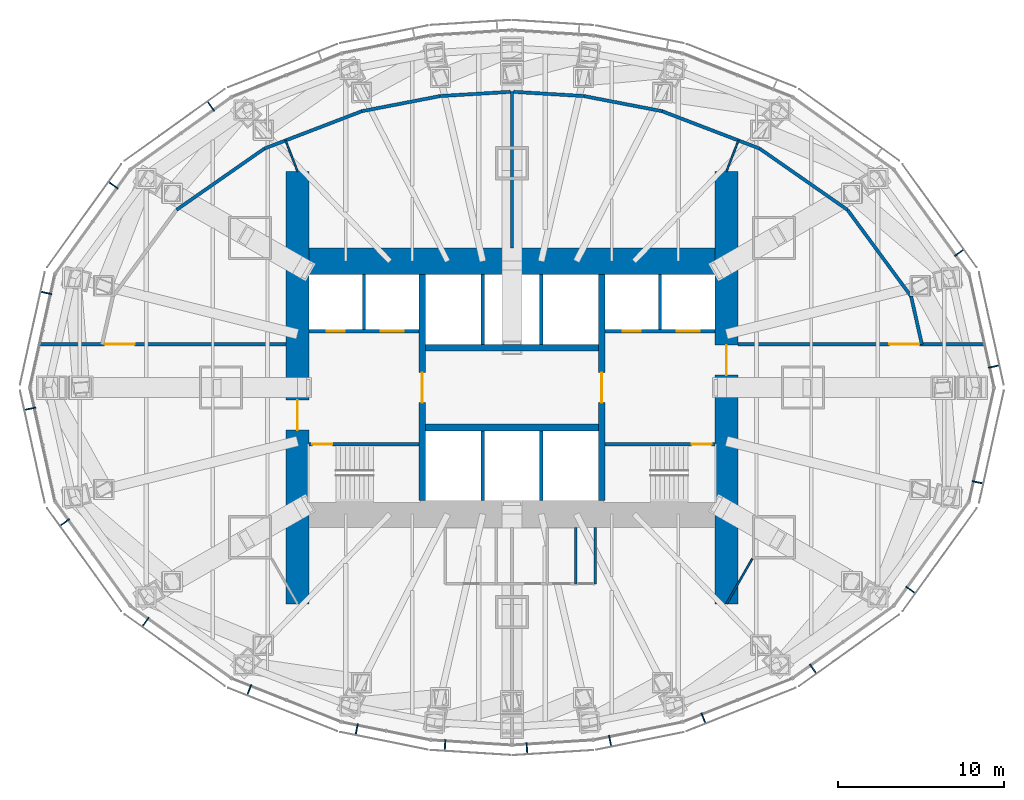
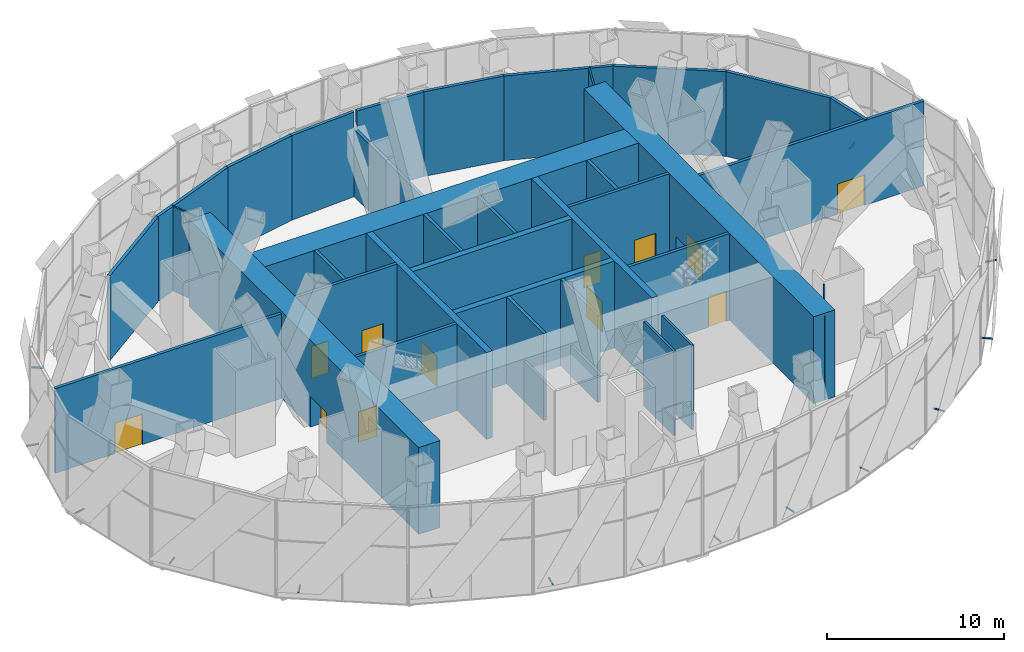
# One storey, part 14 of 19: 35 walls, 17 discrete accessories, 12 doors, 12 openings.
"""IFC4 building model written with IfcOpenShell, lengths in metres."""

from ifc_helpers import new_model, si_unit, direction, frame, frame_2d, origin, origin_2d, place, context, subcontext, project, spatial, rectangle, extrude, material, layer, layer_set, type_object, element, fill, save


model = new_model("IFC4")

# Units and contexts
model_context = context("Model", 3, precision=1e-05, world=origin(), true_north=direction((0.0, 1.0)))
body_context = subcontext(model_context, "Body", "Model", "MODEL_VIEW")
ifc_project = project(units=[si_unit("LENGTHUNIT", "METRE"), si_unit("AREAUNIT", "SQUARE_METRE"), si_unit("VOLUMEUNIT", "CUBIC_METRE"), si_unit("PLANEANGLEUNIT", "RADIAN"), si_unit("MASSUNIT", "GRAM", prefix="KILO")], contexts=[model_context])

# Site, building, storey
site_placement = place(None, origin())
site = spatial("IfcSite", under=ifc_project, at=site_placement, CompositionType="ELEMENT")
building_placement = place(site_placement, origin())
building = spatial("IfcBuilding", under=site, at=building_placement, Name="Lantaw Convention Tower", CompositionType="ELEMENT")
storey_placement = place(building_placement, frame((0.0, 0.0, 193.0)))
storey = spatial("IfcBuildingStorey", under=building, at=storey_placement, Name="L45", CompositionType="ELEMENT", Elevation=193.0)

# Wall, opening, door
ifc_material_1 = material(Name="Concrete C60/75", Category="concrete")
ifc_layer_1 = layer(ifc_material_1, 1.39990234375)
ifc_layer_set_1 = layer_set([ifc_layer_1], Name="Core wall 1400")
wall_type_1 = type_object("IfcWallType", Name="Core wall 1400", PredefinedType="SHEAR", material=ifc_layer_set_1)
wall_1_placement = place(storey_placement, frame((12.89990234375, -13.0, 0.0), z_axis=(0.0, 0.0, 1.0), x_axis=(0.0, 1.0, 0.0)))
wall_1 = element("IfcWall", 1, at=wall_1_placement, inside=storey, type_object=wall_type_1, Name="Core wall E", PredefinedType="SHEAR", context=body_context, shape_type="SweptSolid", body=[
    extrude(rectangle(XDim=26.0, YDim=1.39990234375, at=frame_2d((13.0, 0.0))), origin(), (0.0, 0.0, 1.0), 6.0),
])
opening_1_placement = place(wall_1_placement, frame((13.75, 0.0, 0.0)))
opening_1 = element("IfcOpeningElement", 2, at=opening_1_placement, cuts=wall_1, Name="Opening L45.05", PredefinedType="OPENING", context=body_context, shape_type="SweptSolid", body=[
    extrude(rectangle(XDim=1.800048828125, YDim=2.10009765625, at=frame_2d((0.89990234375, 1.050048828125))), frame((0.0, 0.7099609375, 0.0), z_axis=(0.0, -1.0, 0.0), x_axis=(1.0, 0.0, 0.0)), (0.0, 0.0, 1.0), 1.419921875),
])
ifc_material_2 = material(Name="Steel, fire rated", Category="steel")
door_type_1 = type_object("IfcDoorType", Name="Lobby double door FD90", OperationType="DOUBLE_DOOR_DOUBLE_SWING", PredefinedType="DOOR", material=ifc_material_2)
door_1_placement = place(opening_1_placement, origin())
door_1 = element("IfcDoor", 3, at=door_1_placement, inside=storey, type_object=door_type_1, Name="Firefighting lobby door", OperationType="DOUBLE_DOOR_DOUBLE_SWING", OverallHeight=2.10009765625, OverallWidth=1.800048828125, PredefinedType="DOOR", context=body_context, shape_type="SweptSolid", body=[
    extrude(rectangle(XDim=1.800048828125, YDim=2.10009765625, at=frame_2d((0.89990234375, 1.050048828125))), frame((0.0, 0.02490234375, 0.0), z_axis=(0.0, -1.0, 0.0), x_axis=(1.0, 0.0, 0.0)), (0.0, 0.0, 1.0), 0.050048828125),
])
fill(opening_1, door_1)

wall_2_placement = place(storey_placement, frame((-12.89990234375, 13.0, 0.0), z_axis=(0.0, 0.0, 1.0), x_axis=(0.0, -1.0, 0.0)))
wall_2 = element("IfcWall", 4, at=wall_2_placement, inside=storey, type_object=wall_type_1, Name="Core wall W", PredefinedType="SHEAR", context=body_context, shape_type="SweptSolid", body=[
    extrude(rectangle(XDim=26.0, YDim=1.39990234375, at=frame_2d((13.0, 0.0))), origin(), (0.0, 0.0, 1.0), 6.0),
])
opening_2_placement = place(wall_2_placement, frame((13.75, 0.0, 0.0)))
opening_2 = element("IfcOpeningElement", 5, at=opening_2_placement, cuts=wall_2, Name="Opening L45.06", PredefinedType="OPENING", context=body_context, shape_type="SweptSolid", body=[
    extrude(rectangle(XDim=1.800048828125, YDim=2.10009765625, at=frame_2d((0.89990234375, 1.050048828125))), frame((0.0, 0.7099609375, 0.0), z_axis=(0.0, -1.0, 0.0), x_axis=(1.0, 0.0, 0.0)), (0.0, 0.0, 1.0), 1.419921875),
])
door_2_placement = place(opening_2_placement, origin())
door_2 = element("IfcDoor", 6, at=door_2_placement, inside=storey, type_object=door_type_1, Name="Firefighting lobby door", OperationType="DOUBLE_DOOR_DOUBLE_SWING", OverallHeight=2.10009765625, OverallWidth=1.800048828125, PredefinedType="DOOR", context=body_context, shape_type="SweptSolid", body=[
    extrude(rectangle(XDim=1.800048828125, YDim=2.10009765625, at=frame_2d((0.89990234375, 1.050048828125))), frame((0.0, 0.02490234375, 0.0), z_axis=(0.0, -1.0, 0.0), x_axis=(1.0, 0.0, 0.0)), (0.0, 0.0, 1.0), 0.050048828125),
])
fill(opening_2, door_2)

# Wall
ifc_layer_2 = layer(ifc_material_1, 1.60009765625)
ifc_layer_set_2 = layer_set([ifc_layer_2], Name="Core wall 1600")
wall_type_2 = type_object("IfcWallType", Name="Core wall 1600", PredefinedType="SHEAR", material=ifc_layer_set_2)
wall_3_placement = place(storey_placement, frame((12.199951171875, 7.60009765625, 0.0), z_axis=(0.0, 0.0, 1.0), x_axis=(-1.0, 0.0, 0.0)))
element("IfcWall", 7, at=wall_3_placement, inside=storey, type_object=wall_type_2, Name="Core wall N", PredefinedType="SHEAR", context=body_context, shape_type="SweptSolid", body=[
    extrude(rectangle(XDim=24.39990234375, YDim=1.60009765625, at=frame_2d((12.199951171875, 0.0))), origin(), (0.0, 0.0, 1.0), 6.0),
])

# Wall, opening, door
ifc_layer_3 = layer(ifc_material_1, 0.199951171875)
ifc_layer_set_3 = layer_set([ifc_layer_3], Name="Core wall 200")
wall_type_3 = type_object("IfcWallType", Name="Core wall 200", PredefinedType="SHEAR", material=ifc_layer_set_3)
wall_4_placement = place(storey_placement, frame((5.60009765625, -3.39990234375, 0.0), z_axis=(0.0, 0.0, 1.0), x_axis=(1.0, 0.0, 0.0)))
wall_4 = element("IfcWall", 8, at=wall_4_placement, inside=storey, type_object=wall_type_3, Name="Core wall ES", PredefinedType="SHEAR", context=body_context, shape_type="SweptSolid", body=[
    extrude(rectangle(XDim=6.599853515625, YDim=0.199951171875, at=frame_2d((3.2998046875, 0.0))), origin(), (0.0, 0.0, 1.0), 6.0),
])
opening_3_placement = place(wall_4_placement, frame((5.199951171875, 0.0, 0.0)))
opening_3 = element("IfcOpeningElement", 9, at=opening_3_placement, cuts=wall_4, Name="Opening L45.03", PredefinedType="OPENING", context=body_context, shape_type="SweptSolid", body=[
    extrude(rectangle(XDim=1.199951171875, YDim=2.10009765625, at=frame_2d((0.60009765625, 1.050048828125))), frame((0.0, 0.10986328125, 0.0), z_axis=(0.0, -1.0, 0.0), x_axis=(1.0, 0.0, 0.0)), (0.0, 0.0, 1.0), 0.219970703125),
])
door_type_2 = type_object("IfcDoorType", Name="Stair door FD90", OperationType="SINGLE_SWING_RIGHT", PredefinedType="DOOR", material=ifc_material_2)
door_3_placement = place(opening_3_placement, origin())
door_3 = element("IfcDoor", 10, at=door_3_placement, inside=storey, type_object=door_type_2, Name="Exit stair door", OperationType="SINGLE_SWING_RIGHT", OverallHeight=2.10009765625, OverallWidth=1.199951171875, PredefinedType="DOOR", context=body_context, shape_type="SweptSolid", body=[
    extrude(rectangle(XDim=1.199951171875, YDim=2.10009765625, at=frame_2d((0.60009765625, 1.050048828125))), frame((0.0, 0.02490234375, 0.0), z_axis=(0.0, -1.0, 0.0), x_axis=(1.0, 0.0, 0.0)), (0.0, 0.0, 1.0), 0.050048828125),
])
fill(opening_3, door_3)

wall_5_placement = place(storey_placement, frame((-5.60009765625, -3.39990234375, 0.0), z_axis=(0.0, 0.0, 1.0), x_axis=(-1.0, 0.0, 0.0)))
wall_5 = element("IfcWall", 11, at=wall_5_placement, inside=storey, type_object=wall_type_3, Name="Core wall WS", PredefinedType="SHEAR", context=body_context, shape_type="SweptSolid", body=[
    extrude(rectangle(XDim=6.599853515625, YDim=0.199951171875, at=frame_2d((3.2998046875, 0.0))), origin(), (0.0, 0.0, 1.0), 6.0),
])
opening_4_placement = place(wall_5_placement, frame((5.199951171875, 0.0, 0.0)))
opening_4 = element("IfcOpeningElement", 12, at=opening_4_placement, cuts=wall_5, Name="Opening L45.04", PredefinedType="OPENING", context=body_context, shape_type="SweptSolid", body=[
    extrude(rectangle(XDim=1.199951171875, YDim=2.10009765625, at=frame_2d((0.60009765625, 1.050048828125))), frame((0.0, 0.10986328125, 0.0), z_axis=(0.0, -1.0, 0.0), x_axis=(1.0, 0.0, 0.0)), (0.0, 0.0, 1.0), 0.219970703125),
])
door_4_placement = place(opening_4_placement, origin())
door_4 = element("IfcDoor", 13, at=door_4_placement, inside=storey, type_object=door_type_2, Name="Exit stair door", OperationType="SINGLE_SWING_RIGHT", OverallHeight=2.10009765625, OverallWidth=1.199951171875, PredefinedType="DOOR", context=body_context, shape_type="SweptSolid", body=[
    extrude(rectangle(XDim=1.199951171875, YDim=2.10009765625, at=frame_2d((0.60009765625, 1.050048828125))), frame((0.0, 0.02490234375, 0.0), z_axis=(0.0, -1.0, 0.0), x_axis=(1.0, 0.0, 0.0)), (0.0, 0.0, 1.0), 0.050048828125),
])
fill(opening_4, door_4)

ifc_layer_4 = layer(ifc_material_1, 0.39990234375)
ifc_layer_set_4 = layer_set([ifc_layer_4], Name="Core wall 400")
wall_type_4 = type_object("IfcWallType", Name="Core wall 400", PredefinedType="SHEAR", material=ifc_layer_set_4)
wall_6_placement = place(storey_placement, frame((5.39990234375, -6.800048828125, 0.0), z_axis=(0.0, 0.0, 1.0), x_axis=(0.0, 1.0, 0.0)))
wall_6 = element("IfcWall", 14, at=wall_6_placement, inside=storey, type_object=wall_type_4, Name="Core wall XE", PredefinedType="SHEAR", context=body_context, shape_type="SweptSolid", body=[
    extrude(rectangle(XDim=13.60009765625, YDim=0.39990234375, at=frame_2d((6.800048828125, 0.0))), origin(), (0.0, 0.0, 1.0), 6.0),
])
opening_5_placement = place(wall_6_placement, frame((5.89990234375, 0.0, 0.0)))
opening_5 = element("IfcOpeningElement", 15, at=opening_5_placement, cuts=wall_6, Name="Opening L45.01", PredefinedType="OPENING", context=body_context, shape_type="SweptSolid", body=[
    extrude(rectangle(XDim=1.800048828125, YDim=2.10009765625, at=frame_2d((0.89990234375, 1.050048828125))), frame((0.0, 0.2099609375, 0.0), z_axis=(0.0, -1.0, 0.0), x_axis=(1.0, 0.0, 0.0)), (0.0, 0.0, 1.0), 0.419921875),
])
door_5_placement = place(opening_5_placement, origin())
door_5 = element("IfcDoor", 16, at=door_5_placement, inside=storey, type_object=door_type_1, Name="Lift lobby door", OperationType="DOUBLE_DOOR_DOUBLE_SWING", OverallHeight=2.10009765625, OverallWidth=1.800048828125, PredefinedType="DOOR", context=body_context, shape_type="SweptSolid", body=[
    extrude(rectangle(XDim=1.800048828125, YDim=2.10009765625, at=frame_2d((0.89990234375, 1.050048828125))), frame((0.0, 0.02490234375, 0.0), z_axis=(0.0, -1.0, 0.0), x_axis=(1.0, 0.0, 0.0)), (0.0, 0.0, 1.0), 0.050048828125),
])
fill(opening_5, door_5)

wall_7_placement = place(storey_placement, frame((-5.39990234375, 6.800048828125, 0.0), z_axis=(0.0, 0.0, 1.0), x_axis=(0.0, -1.0, 0.0)))
wall_7 = element("IfcWall", 17, at=wall_7_placement, inside=storey, type_object=wall_type_4, Name="Core wall XW", PredefinedType="SHEAR", context=body_context, shape_type="SweptSolid", body=[
    extrude(rectangle(XDim=13.60009765625, YDim=0.39990234375, at=frame_2d((6.800048828125, 0.0))), origin(), (0.0, 0.0, 1.0), 6.0),
])
opening_6_placement = place(wall_7_placement, frame((5.89990234375, 0.0, 0.0)))
opening_6 = element("IfcOpeningElement", 18, at=opening_6_placement, cuts=wall_7, Name="Opening L45.02", PredefinedType="OPENING", context=body_context, shape_type="SweptSolid", body=[
    extrude(rectangle(XDim=1.800048828125, YDim=2.10009765625, at=frame_2d((0.89990234375, 1.050048828125))), frame((0.0, 0.2099609375, 0.0), z_axis=(0.0, -1.0, 0.0), x_axis=(1.0, 0.0, 0.0)), (0.0, 0.0, 1.0), 0.419921875),
])
door_6_placement = place(opening_6_placement, origin())
door_6 = element("IfcDoor", 19, at=door_6_placement, inside=storey, type_object=door_type_1, Name="Lift lobby door", OperationType="DOUBLE_DOOR_DOUBLE_SWING", OverallHeight=2.10009765625, OverallWidth=1.800048828125, PredefinedType="DOOR", context=body_context, shape_type="SweptSolid", body=[
    extrude(rectangle(XDim=1.800048828125, YDim=2.10009765625, at=frame_2d((0.89990234375, 1.050048828125))), frame((0.0, 0.02490234375, 0.0), z_axis=(0.0, -1.0, 0.0), x_axis=(1.0, 0.0, 0.0)), (0.0, 0.0, 1.0), 0.050048828125),
])
fill(opening_6, door_6)

# Walls
for number, where, z_axis, x_axis, name in (
    (20, (-5.199951171875, -2.39990234375, 0.0), (0.0, 0.0, 1.0), (1.0, 0.0, 0.0), "Core wall BS"),
    (21, (5.199951171875, 2.39990234375, 0.0), (0.0, 0.0, 1.0), (-1.0, 0.0, 0.0), "Core wall BN"),
):
    element("IfcWall", number, at=place(storey_placement, frame(where, z_axis=z_axis, x_axis=x_axis)), inside=storey, type_object=wall_type_4, Name=name, PredefinedType="SHEAR", context=body_context, shape_type="SweptSolid", body=[
        extrude(rectangle(XDim=10.39990234375, YDim=0.39990234375, at=frame_2d((5.199951171875, 0.0))), origin(), (0.0, 0.0, 1.0), 6.0),
    ])

# Wall, opening, door
ifc_material_3 = material(Name="Concrete blockwork, fire rated", Category="masonry")
ifc_layer_5 = layer(ifc_material_3, 0.199951171875)
ifc_layer_set_5 = layer_set([ifc_layer_5], Name="Fire wall 200 EI 120")
wall_type_5 = type_object("IfcWallType", Name="Fire wall 200 EI 120", PredefinedType="SOLIDWALL", material=ifc_layer_set_5)
wall_8_placement = place(storey_placement, frame((-13.60009765625, 2.60009765625, 0.0), z_axis=(0.0, 0.0, 1.0), x_axis=(-1.0, 0.0, 0.0)))
wall_8 = element("IfcWall", 22, at=wall_8_placement, inside=storey, type_object=wall_type_5, Name="Fire wall 200", PredefinedType="SOLIDWALL", context=body_context, shape_type="SweptSolid", body=[
    extrude(rectangle(XDim=14.770263671875, YDim=0.199951171875, at=frame_2d((7.38525390625, 0.0))), origin(), (0.0, 0.0, 1.0), 5.85009765625),
])
opening_7_placement = place(wall_8_placement, frame((9.0947265625, 0.0, 0.0)))
opening_7 = element("IfcOpeningElement", 23, at=opening_7_placement, cuts=wall_8, Name="Opening L45.15", PredefinedType="OPENING", context=body_context, shape_type="SweptSolid", body=[
    extrude(rectangle(XDim=1.800048828125, YDim=2.10009765625, at=frame_2d((0.89990234375, 1.050048828125))), frame((0.0, 0.10986328125, 0.0), z_axis=(0.0, -1.0, 0.0), x_axis=(1.0, 0.0, 0.0)), (0.0, 0.0, 1.0), 0.219970703125),
])
door_type_3 = type_object("IfcDoorType", Name="Plant room double door FD90", OperationType="DOUBLE_DOOR_DOUBLE_SWING", PredefinedType="DOOR", material=ifc_material_2)
door_7_placement = place(opening_7_placement, origin())
door_7 = element("IfcDoor", 24, at=door_7_placement, inside=storey, type_object=door_type_3, Name="Refuge area door", OperationType="DOUBLE_DOOR_DOUBLE_SWING", OverallHeight=2.10009765625, OverallWidth=1.800048828125, PredefinedType="DOOR", context=body_context, shape_type="SweptSolid", body=[
    extrude(rectangle(XDim=1.800048828125, YDim=2.10009765625, at=frame_2d((0.89990234375, 1.050048828125))), frame((0.0, 0.02490234375, 0.0), z_axis=(0.0, -1.0, 0.0), x_axis=(1.0, 0.0, 0.0)), (0.0, 0.0, 1.0), 0.050048828125),
])
fill(opening_7, door_7)

wall_9_placement = place(storey_placement, frame((13.60009765625, 2.60009765625, 0.0), z_axis=(0.0, 0.0, 1.0), x_axis=(1.0, 0.0, 0.0)))
wall_9 = element("IfcWall", 25, at=wall_9_placement, inside=storey, type_object=wall_type_5, Name="Fire wall 200", PredefinedType="SOLIDWALL", context=body_context, shape_type="SweptSolid", body=[
    extrude(rectangle(XDim=14.770263671875, YDim=0.199951171875, at=frame_2d((7.38525390625, 0.0))), origin(), (0.0, 0.0, 1.0), 5.85009765625),
])
opening_8_placement = place(wall_9_placement, frame((9.0947265625, 0.0, 0.0)))
opening_8 = element("IfcOpeningElement", 26, at=opening_8_placement, cuts=wall_9, Name="Opening L45.16", PredefinedType="OPENING", context=body_context, shape_type="SweptSolid", body=[
    extrude(rectangle(XDim=1.800048828125, YDim=2.10009765625, at=frame_2d((0.89990234375, 1.050048828125))), frame((0.0, 0.10986328125, 0.0), z_axis=(0.0, -1.0, 0.0), x_axis=(1.0, 0.0, 0.0)), (0.0, 0.0, 1.0), 0.219970703125),
])
door_8_placement = place(opening_8_placement, origin())
door_8 = element("IfcDoor", 27, at=door_8_placement, inside=storey, type_object=door_type_3, Name="Refuge area door", OperationType="DOUBLE_DOOR_DOUBLE_SWING", OverallHeight=2.10009765625, OverallWidth=1.800048828125, PredefinedType="DOOR", context=body_context, shape_type="SweptSolid", body=[
    extrude(rectangle(XDim=1.800048828125, YDim=2.10009765625, at=frame_2d((0.89990234375, 1.050048828125))), frame((0.0, 0.02490234375, 0.0), z_axis=(0.0, -1.0, 0.0), x_axis=(1.0, 0.0, 0.0)), (0.0, 0.0, 1.0), 0.050048828125),
])
fill(opening_8, door_8)

# Walls
wall_10_placement = place(storey_placement, frame((0.0, 8.39990234375, 0.0), z_axis=(0.0, 0.0, 1.0), x_axis=(0.0, 1.0, 0.0)))
element("IfcWall", 28, at=wall_10_placement, inside=storey, type_object=wall_type_5, Name="Fire wall 200", PredefinedType="SOLIDWALL", context=body_context, shape_type="SweptSolid", body=[
    extrude(rectangle(XDim=9.39404296875, YDim=0.199951171875, at=frame_2d((4.697021484375, 0.0))), origin(), (0.0, 0.0, 1.0), 4.64990234375),
])
ifc_material_4 = material(Name="Gypsum board on steel studs, acoustic", Category="steel")
ifc_layer_6 = layer(ifc_material_4, 0.10009765625)
ifc_layer_set_6 = layer_set([ifc_layer_6], Name="Office partition 100")
wall_type_6 = type_object("IfcWallType", Name="Office partition 100", PredefinedType="PARTITIONING", material=ifc_layer_set_6)
wall_11_placement = place(storey_placement, frame((12.89990234375, -13.0, 0.0), z_axis=(0.0, 0.0, 1.0), x_axis=(0.497886086714, 0.867242437071, 0.0)))
element("IfcWall", 29, at=wall_11_placement, inside=storey, type_object=wall_type_6, Name="Office partition 100", PredefinedType="PARTITIONING", context=body_context, shape_type="SweptSolid", body=[
    extrude(rectangle(XDim=3.11328125, YDim=0.10009765625, at=frame_2d((1.556640625, 0.0))), origin(), (0.0, 0.0, 1.0), 5.85009765625),
])
for number, where, z_axis, x_axis, name in (
    (30, (12.89990234375, 13.0, 0.0), (0.0, 0.0, 1.0), (0.358175892566, 0.9336541276, 0.0), "Office partition 100"),
    (31, (-12.89990234375, 13.0, 0.0), (0.0, 0.0, 1.0), (-0.358175892566, 0.9336541276, 0.0), "Office partition 100"),
):
    element("IfcWall", number, at=place(storey_placement, frame(where, z_axis=z_axis, x_axis=x_axis)), inside=storey, type_object=wall_type_6, Name=name, PredefinedType="PARTITIONING", context=body_context, shape_type="SweptSolid", body=[
        extrude(rectangle(XDim=1.99658203125, YDim=0.10009765625, at=frame_2d((0.998291015625, 0.0))), origin(), (0.0, 0.0, 1.0), 5.85009765625),
    ])
ifc_layer_7 = layer(ifc_material_3, 0.199951171875)
ifc_layer_set_7 = layer_set([ifc_layer_7], Name="Plant room wall 200 EI 120")
wall_type_7 = type_object("IfcWallType", Name="Plant room wall 200 EI 120", PredefinedType="SOLIDWALL", material=ifc_layer_set_7)
wall_12_placement = place(storey_placement, frame((-20.173095703125, 10.691162109375, 0.0), z_axis=(0.0, 0.0, 1.0), x_axis=(0.820274205327, 0.571970478324, 0.0)))
element("IfcWall", 32, at=wall_12_placement, inside=storey, type_object=wall_type_7, Name="Plant room wall 200", PredefinedType="SOLIDWALL", context=body_context, shape_type="SweptSolid", body=[
    extrude(rectangle(XDim=6.440185546875, YDim=0.199951171875, at=frame_2d((3.22021484375, 0.0))), origin(), (0.0, 0.0, 1.0), 5.85009765625),
])
wall_13_placement = place(storey_placement, frame((-14.890380859375, 14.374755859375, 0.0), z_axis=(0.0, 0.0, 1.0), x_axis=(0.933673071728, 0.358126507159, 0.0)))
element("IfcWall", 33, at=wall_13_placement, inside=storey, type_object=wall_type_7, Name="Plant room wall 200", PredefinedType="SOLIDWALL", context=body_context, shape_type="SweptSolid", body=[
    extrude(rectangle(XDim=6.27587890625, YDim=0.199951171875, at=frame_2d((3.137939453125, 0.0))), origin(), (0.0, 0.0, 1.0), 5.85009765625),
])
wall_14_placement = place(storey_placement, frame((-9.03076171875, 16.622314453125, 0.0), z_axis=(0.0, 0.0, 1.0), x_axis=(0.981807084442, 0.189881144245, 0.0)))
element("IfcWall", 34, at=wall_14_placement, inside=storey, type_object=wall_type_7, Name="Plant room wall 200", PredefinedType="SOLIDWALL", context=body_context, shape_type="SweptSolid", body=[
    extrude(rectangle(XDim=4.7998046875, YDim=0.199951171875, at=frame_2d((2.39990234375, 0.0))), origin(), (0.0, 0.0, 1.0), 5.85009765625),
])
for number, where, z_axis, x_axis, name in (
    (35, (-4.318359375, 17.53369140625, 0.0), (0.0, 0.0, 1.0), (0.998189893623, 0.060140969977, 0.0), "Plant room wall 200"),
    (36, (0.10009765625, 17.787841796875, 0.0), (0.0, 0.0, 1.0), (0.998189893623, -0.060140969977, 0.0), "Plant room wall 200"),
):
    element("IfcWall", number, at=place(storey_placement, frame(where, z_axis=z_axis, x_axis=x_axis)), inside=storey, type_object=wall_type_7, Name=name, PredefinedType="SOLIDWALL", context=body_context, shape_type="SweptSolid", body=[
        extrude(rectangle(XDim=4.225830078125, YDim=0.199951171875, at=frame_2d((2.11279296875, 0.0))), origin(), (0.0, 0.0, 1.0), 5.85009765625),
    ])
wall_15_placement = place(storey_placement, frame((4.318359375, 17.53369140625, 0.0), z_axis=(0.0, 0.0, 1.0), x_axis=(0.981807084442, -0.189881144245, 0.0)))
element("IfcWall", 37, at=wall_15_placement, inside=storey, type_object=wall_type_7, Name="Plant room wall 200", PredefinedType="SOLIDWALL", context=body_context, shape_type="SweptSolid", body=[
    extrude(rectangle(XDim=4.7998046875, YDim=0.199951171875, at=frame_2d((2.39990234375, 0.0))), origin(), (0.0, 0.0, 1.0), 5.85009765625),
])
wall_16_placement = place(storey_placement, frame((9.03076171875, 16.622314453125, 0.0), z_axis=(0.0, 0.0, 1.0), x_axis=(0.933673071728, -0.358126507159, 0.0)))
element("IfcWall", 38, at=wall_16_placement, inside=storey, type_object=wall_type_7, Name="Plant room wall 200", PredefinedType="SOLIDWALL", context=body_context, shape_type="SweptSolid", body=[
    extrude(rectangle(XDim=6.27587890625, YDim=0.199951171875, at=frame_2d((3.137939453125, 0.0))), origin(), (0.0, 0.0, 1.0), 5.85009765625),
])
wall_17_placement = place(storey_placement, frame((14.890380859375, 14.374755859375, 0.0), z_axis=(0.0, 0.0, 1.0), x_axis=(0.820274205327, -0.571970478324, 0.0)))
element("IfcWall", 39, at=wall_17_placement, inside=storey, type_object=wall_type_7, Name="Plant room wall 200", PredefinedType="SOLIDWALL", context=body_context, shape_type="SweptSolid", body=[
    extrude(rectangle(XDim=6.440185546875, YDim=0.199951171875, at=frame_2d((3.22021484375, 0.0))), origin(), (0.0, 0.0, 1.0), 5.85009765625),
])
wall_18_placement = place(storey_placement, frame((20.173095703125, 10.691162109375, 0.0), z_axis=(0.0, 0.0, 1.0), x_axis=(0.592429396569, -0.805622374367, 0.0)))
element("IfcWall", 40, at=wall_18_placement, inside=storey, type_object=wall_type_7, Name="Plant room wall 200", PredefinedType="SOLIDWALL", context=body_context, shape_type="SweptSolid", body=[
    extrude(rectangle(XDim=6.462158203125, YDim=0.199951171875, at=frame_2d((3.23095703125, 0.0))), origin(), (0.0, 0.0, 1.0), 5.85009765625),
])
wall_19_placement = place(storey_placement, frame((24.00146484375, 5.485107421875, 0.0), z_axis=(0.0, 0.0, 1.0), x_axis=(0.219211589051, -0.975677343811, 0.0)))
element("IfcWall", 41, at=wall_19_placement, inside=storey, type_object=wall_type_7, Name="Plant room wall 200", PredefinedType="SOLIDWALL", context=body_context, shape_type="SweptSolid", body=[
    extrude(rectangle(XDim=2.95703125, YDim=0.199951171875, at=frame_2d((1.478515625, 0.0))), origin(), (0.0, 0.0, 1.0), 5.85009765625),
])
ifc_layer_8 = layer(ifc_material_3, 0.199951171875)
ifc_layer_set_8 = layer_set([ifc_layer_8], Name="Shaft wall 200")
wall_type_8 = type_object("IfcWallType", Name="Shaft wall 200", PredefinedType="SOLIDWALL", material=ifc_layer_set_8)
for number, where, z_axis, x_axis, name in (
    (42, (-1.7666015625, 2.60009765625, 0.0), (0.0, 0.0, 1.0), (0.0, 1.0, 0.0), "Shaft wall DN1"),
    (43, (1.7666015625, 2.60009765625, 0.0), (0.0, 0.0, 1.0), (0.0, 1.0, 0.0), "Shaft wall DN2"),
):
    element("IfcWall", number, at=place(storey_placement, frame(where, z_axis=z_axis, x_axis=x_axis)), inside=storey, type_object=wall_type_8, Name=name, PredefinedType="SOLIDWALL", context=body_context, shape_type="SweptSolid", body=[
        extrude(rectangle(XDim=4.199951171875, YDim=0.199951171875, at=frame_2d((2.10009765625, 0.0))), origin(), (0.0, 0.0, 1.0), 6.0),
    ])

# Wall, openings, doors
wall_20_placement = place(storey_placement, frame((12.199951171875, 3.39990234375, 0.0), z_axis=(0.0, 0.0, 1.0), x_axis=(-1.0, 0.0, 0.0)))
wall_20 = element("IfcWall", 44, at=wall_20_placement, inside=storey, type_object=wall_type_8, Name="Shaft wall EN", PredefinedType="SOLIDWALL", context=body_context, shape_type="SweptSolid", body=[
    extrude(rectangle(XDim=6.599853515625, YDim=0.199951171875, at=frame_2d((3.2998046875, 0.0))), origin(), (0.0, 0.0, 1.0), 6.0),
])
opening_9_placement = place(wall_20_placement, frame((4.449951171875, 0.0, 0.0)))
opening_9 = element("IfcOpeningElement", 45, at=opening_9_placement, cuts=wall_20, Name="Opening L45.09", PredefinedType="OPENING", context=body_context, shape_type="SweptSolid", body=[
    extrude(rectangle(XDim=1.10009765625, YDim=2.199951171875, at=frame_2d((0.550048828125, 1.10009765625))), frame((0.0, 0.10986328125, 0.0), z_axis=(0.0, -1.0, 0.0), x_axis=(1.0, 0.0, 0.0)), (0.0, 0.0, 1.0), 0.219970703125),
])
opening_10_placement = place(wall_20_placement, frame((0.89990234375, 0.0, 0.0)))
opening_10 = element("IfcOpeningElement", 46, at=opening_10_placement, cuts=wall_20, Name="Opening L45.10", PredefinedType="OPENING", context=body_context, shape_type="SweptSolid", body=[
    extrude(rectangle(XDim=1.39990234375, YDim=2.199951171875, at=frame_2d((0.699951171875, 1.10009765625))), frame((0.0, 0.10986328125, 0.0), z_axis=(0.0, -1.0, 0.0), x_axis=(1.0, 0.0, 0.0)), (0.0, 0.0, 1.0), 0.219970703125),
])
ifc_material_5 = material(Name="Stainless steel", Category="steel")
door_type_4 = type_object("IfcDoorType", Name="Lift landing door 1100", OperationType="DOUBLE_DOOR_SLIDING", PredefinedType="DOOR", material=ifc_material_5)
door_9_placement = place(opening_9_placement, origin())
door_9 = element("IfcDoor", 47, at=door_9_placement, inside=storey, type_object=door_type_4, Name="Lift landing door FF2", OperationType="DOUBLE_DOOR_SLIDING", OverallHeight=2.199951171875, OverallWidth=1.10009765625, PredefinedType="DOOR", context=body_context, shape_type="SweptSolid", body=[
    extrude(rectangle(XDim=1.10009765625, YDim=2.199951171875, at=frame_2d((0.550048828125, 1.10009765625))), frame((0.0, 0.02490234375, 0.0), z_axis=(0.0, -1.0, 0.0), x_axis=(1.0, 0.0, 0.0)), (0.0, 0.0, 1.0), 0.050048828125),
])
fill(opening_9, door_9)
door_type_5 = type_object("IfcDoorType", Name="Lift landing door 1400", OperationType="DOUBLE_DOOR_SLIDING", PredefinedType="DOOR", material=ifc_material_5)
door_10_placement = place(opening_10_placement, origin())
door_10 = element("IfcDoor", 48, at=door_10_placement, inside=storey, type_object=door_type_5, Name="Lift landing door SV2", OperationType="DOUBLE_DOOR_SLIDING", OverallHeight=2.199951171875, OverallWidth=1.39990234375, PredefinedType="DOOR", context=body_context, shape_type="SweptSolid", body=[
    extrude(rectangle(XDim=1.39990234375, YDim=2.199951171875, at=frame_2d((0.699951171875, 1.10009765625))), frame((0.0, 0.02490234375, 0.0), z_axis=(0.0, -1.0, 0.0), x_axis=(1.0, 0.0, 0.0)), (0.0, 0.0, 1.0), 0.050048828125),
])
fill(opening_10, door_10)

# Wall
wall_21_placement = place(storey_placement, frame((8.89990234375, 3.5, 0.0), z_axis=(0.0, 0.0, 1.0), x_axis=(0.0, 1.0, 0.0)))
element("IfcWall", 49, at=wall_21_placement, inside=storey, type_object=wall_type_8, Name="Shaft wall ED", PredefinedType="SOLIDWALL", context=body_context, shape_type="SweptSolid", body=[
    extrude(rectangle(XDim=3.300048828125, YDim=0.199951171875, at=frame_2d((1.64990234375, 0.0))), origin(), (0.0, 0.0, 1.0), 6.0),
])

# Wall, openings, doors
wall_22_placement = place(storey_placement, frame((-12.199951171875, 3.39990234375, 0.0), z_axis=(0.0, 0.0, 1.0), x_axis=(1.0, 0.0, 0.0)))
wall_22 = element("IfcWall", 50, at=wall_22_placement, inside=storey, type_object=wall_type_8, Name="Shaft wall WN", PredefinedType="SOLIDWALL", context=body_context, shape_type="SweptSolid", body=[
    extrude(rectangle(XDim=6.599853515625, YDim=0.199951171875, at=frame_2d((3.2998046875, 0.0))), origin(), (0.0, 0.0, 1.0), 6.0),
])
opening_11_placement = place(wall_22_placement, frame((1.050048828125, 0.0, 0.0)))
opening_11 = element("IfcOpeningElement", 51, at=opening_11_placement, cuts=wall_22, Name="Opening L45.07", PredefinedType="OPENING", context=body_context, shape_type="SweptSolid", body=[
    extrude(rectangle(XDim=1.10009765625, YDim=2.199951171875, at=frame_2d((0.550048828125, 1.10009765625))), frame((0.0, 0.10986328125, 0.0), z_axis=(0.0, -1.0, 0.0), x_axis=(1.0, 0.0, 0.0)), (0.0, 0.0, 1.0), 0.219970703125),
])
opening_12_placement = place(wall_22_placement, frame((4.300048828125, 0.0, 0.0)))
opening_12 = element("IfcOpeningElement", 52, at=opening_12_placement, cuts=wall_22, Name="Opening L45.08", PredefinedType="OPENING", context=body_context, shape_type="SweptSolid", body=[
    extrude(rectangle(XDim=1.39990234375, YDim=2.199951171875, at=frame_2d((0.699951171875, 1.10009765625))), frame((0.0, 0.10986328125, 0.0), z_axis=(0.0, -1.0, 0.0), x_axis=(1.0, 0.0, 0.0)), (0.0, 0.0, 1.0), 0.219970703125),
])
door_11_placement = place(opening_11_placement, origin())
door_11 = element("IfcDoor", 53, at=door_11_placement, inside=storey, type_object=door_type_4, Name="Lift landing door FF1", OperationType="DOUBLE_DOOR_SLIDING", OverallHeight=2.199951171875, OverallWidth=1.10009765625, PredefinedType="DOOR", context=body_context, shape_type="SweptSolid", body=[
    extrude(rectangle(XDim=1.10009765625, YDim=2.199951171875, at=frame_2d((0.550048828125, 1.10009765625))), frame((0.0, 0.02490234375, 0.0), z_axis=(0.0, -1.0, 0.0), x_axis=(1.0, 0.0, 0.0)), (0.0, 0.0, 1.0), 0.050048828125),
])
fill(opening_11, door_11)
door_12_placement = place(opening_12_placement, origin())
door_12 = element("IfcDoor", 54, at=door_12_placement, inside=storey, type_object=door_type_5, Name="Lift landing door SV1", OperationType="DOUBLE_DOOR_SLIDING", OverallHeight=2.199951171875, OverallWidth=1.39990234375, PredefinedType="DOOR", context=body_context, shape_type="SweptSolid", body=[
    extrude(rectangle(XDim=1.39990234375, YDim=2.199951171875, at=frame_2d((0.699951171875, 1.10009765625))), frame((0.0, 0.02490234375, 0.0), z_axis=(0.0, -1.0, 0.0), x_axis=(1.0, 0.0, 0.0)), (0.0, 0.0, 1.0), 0.050048828125),
])
fill(opening_12, door_12)

# Walls
wall_23_placement = place(storey_placement, frame((-8.89990234375, 3.5, 0.0), z_axis=(0.0, 0.0, 1.0), x_axis=(0.0, 1.0, 0.0)))
element("IfcWall", 55, at=wall_23_placement, inside=storey, type_object=wall_type_8, Name="Shaft wall WD", PredefinedType="SOLIDWALL", context=body_context, shape_type="SweptSolid", body=[
    extrude(rectangle(XDim=3.300048828125, YDim=0.199951171875, at=frame_2d((1.64990234375, 0.0))), origin(), (0.0, 0.0, 1.0), 6.0),
])
ifc_layer_9 = layer(ifc_material_3, 0.199951171875)
ifc_layer_set_9 = layer_set([ifc_layer_9], Name="Shaft wall 200 load-bearing")
wall_type_9 = type_object("IfcWallType", Name="Shaft wall 200 load-bearing", PredefinedType="SOLIDWALL", material=ifc_layer_set_9)
for number, where, z_axis, x_axis, name in (
    (56, (-1.7666015625, -2.60009765625, 0.0), (0.0, 0.0, 1.0), (0.0, -1.0, 0.0), "Shaft wall DS1"),
    (57, (1.7666015625, -2.60009765625, 0.0), (0.0, 0.0, 1.0), (0.0, -1.0, 0.0), "Shaft wall DS2"),
):
    element("IfcWall", number, at=place(storey_placement, frame(where, z_axis=z_axis, x_axis=x_axis)), inside=storey, type_object=wall_type_9, Name=name, PredefinedType="SOLIDWALL", context=body_context, shape_type="SweptSolid", body=[
        extrude(rectangle(XDim=4.199951171875, YDim=0.199951171875, at=frame_2d((2.10009765625, 0.0))), origin(), (0.0, 0.0, 1.0), 6.0),
    ])
ifc_material_6 = material(Name="Concrete blockwork", Category="masonry")
ifc_layer_10 = layer(ifc_material_6, 0.14990234375)
ifc_layer_set_10 = layer_set([ifc_layer_10], Name="WC wall 150")
wall_type_10 = type_object("IfcWallType", Name="WC wall 150", PredefinedType="SOLIDWALL", material=ifc_layer_set_10)
for number, where, z_axis, x_axis, name in (
    (58, (5.0, -8.39990234375, 0.0), (0.0, 0.0, 1.0), (0.0, -1.0, 0.0), "WC wall 150"),
    (59, (3.830078125, -8.39990234375, 0.0), (0.0, 0.0, 1.0), (0.0, -1.0, 0.0), "WC wall 150"),
):
    element("IfcWall", number, at=place(storey_placement, frame(where, z_axis=z_axis, x_axis=x_axis)), inside=storey, type_object=wall_type_10, Name=name, PredefinedType="SOLIDWALL", context=body_context, shape_type="SweptSolid", body=[
        extrude(rectangle(XDim=3.400146484375, YDim=0.14990234375, at=frame_2d((1.7001953125, 0.0))), origin(), (0.0, 0.0, 1.0), 5.85009765625),
    ])

# Discrete accessories
for number, where, z_axis, x_axis, name in (
    (60, (28.98486328125, 1.269775390625, -0.14013671875), (0.0, 0.0, 1.0), (-0.215546166174, 0.9764936509, 0.0), "Screen bracket"),
    (61, (26.900146484375, 8.111572265625, -0.14013671875), (0.0, 0.0, 1.0), (-0.584512597221, 0.811384633629, 0.0), "Screen bracket"),
    (62, (-18.10791015625, 16.922607421875, -0.14013671875), (0.0, 0.0, 1.0), (-0.813208325995, -0.581972695693, 0.0), "Screen bracket"),
    (63, (-23.9765625, 12.169677734375, -0.14013671875), (0.0, 0.0, 1.0), (-0.584512597221, -0.811384633629, 0.0), "Screen bracket"),
    (64, (-28.008056640625, 5.6953125, -0.14013671875), (0.0, 0.0, 1.0), (-0.215546166174, -0.9764936509, 0.0), "Screen bracket"),
    (65, (-28.98486328125, -1.269775390625, -0.14013671875), (0.0, 0.0, 1.0), (0.215546166174, -0.9764936509, 0.0), "Screen bracket"),
    (66, (-26.900146484375, -8.111572265625, -0.14013671875), (0.0, 0.0, 1.0), (0.584512597221, -0.811384633629, 0.0), "Screen bracket"),
    (67, (-22.044189453125, -14.10546875, -0.14013671875), (0.0, 0.0, 1.0), (0.813208325995, -0.581972695693, 0.0), "Screen bracket"),
    (68, (-15.802978515625, -18.18798828125, -0.14013671875), (0.0, 0.0, 1.0), (0.929547687544, -0.368701907483, 0.0), "Screen bracket"),
    (69, (-9.339599609375, -20.56005859375, -0.14013671875), (0.0, 0.0, 1.0), (0.980301514912, -0.197506809659, 0.0), "Screen bracket"),
    (70, (-4.027099609375, -21.505859375, -0.14013671875), (0.0, 0.0, 1.0), (0.998022035978, -0.062865059466, 0.0), "Screen bracket"),
    (71, (0.89794921875, -21.702880859375, -0.14013671875), (0.0, 0.0, 1.0), (0.998022035978, 0.062865059466, 0.0), "Screen bracket"),
    (72, (5.903076171875, -21.25244140625, -0.14013671875), (0.0, 0.0, 1.0), (0.980301514912, 0.197506809659, 0.0), "Screen bracket"),
    (73, (11.517822265625, -19.887939453125, -0.14013671875), (0.0, 0.0, 1.0), (0.929547687544, 0.368701907483, 0.0), "Screen bracket"),
    (74, (18.10791015625, -16.922607421875, -0.14013671875), (0.0, 0.0, 1.0), (0.813208325995, 0.581972695693, 0.0), "Screen bracket"),
    (75, (23.9765625, -12.169677734375, -0.14013671875), (0.0, 0.0, 1.0), (0.584512597221, 0.811384633629, 0.0), "Screen bracket"),
    (76, (28.008056640625, -5.6953125, -0.14013671875), (0.0, 0.0, 1.0), (0.215546166174, 0.9764936509, 0.0), "Screen bracket"),
):
    element("IfcDiscreteAccessory", number, at=place(storey_placement, frame(where, z_axis=z_axis, x_axis=x_axis)), inside=storey, Name=name, PredefinedType="BRACKET", context=body_context, shape_type="SweptSolid", body=[
        extrude(rectangle(XDim=0.080078125, YDim=0.68798828125, at=origin_2d()), origin(), (0.0, 0.0, 1.0), 0.080078125),
    ])

save(model, "model.ifc")
